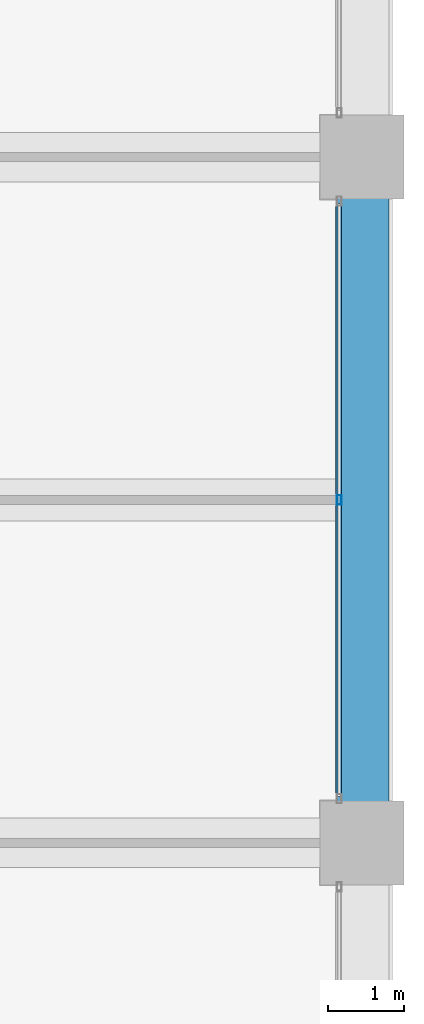
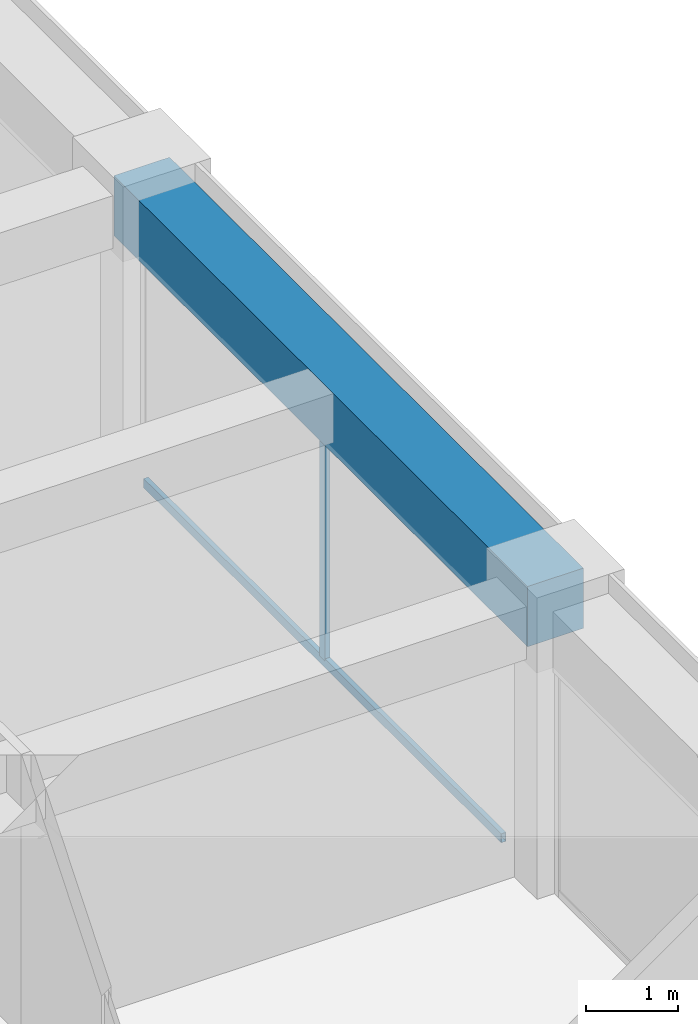
# One storey, part 25 of 44: 2 members, 1 beam, 1 element without a shape of its own.
"""IFC4 building model written with IfcOpenShell, lengths in metres."""

from ifc_helpers import new_model, si_unit, direction, frame, origin, origin_2d, place, context, subcontext, project, spatial, rectangle, hollow_rectangle, extrude, material, material_profile, profile_set, type_object, element, aggregate, save


model = new_model("IFC4")

# Units and contexts
model_context = context("Model", 3, precision=1e-05, world=origin(), true_north=direction((0.0, 1.0)))
body_context = subcontext(model_context, "Body", "Model", "MODEL_VIEW")
ifc_project = project(units=[si_unit("LENGTHUNIT", "METRE"), si_unit("AREAUNIT", "SQUARE_METRE"), si_unit("VOLUMEUNIT", "CUBIC_METRE"), si_unit("PLANEANGLEUNIT", "RADIAN"), si_unit("MASSUNIT", "GRAM", prefix="KILO")], contexts=[model_context])

# Site, building, storey
site_placement = place(None, origin())
site = spatial("IfcSite", under=ifc_project, at=site_placement, CompositionType="ELEMENT")
building_placement = place(site_placement, origin())
building = spatial("IfcBuilding", under=site, at=building_placement, Name="Zorevar Civic Tower", CompositionType="ELEMENT")
storey_placement = place(building_placement, frame((0.0, 0.0, 271.39990234375)))
storey = spatial("IfcBuildingStorey", under=building, at=storey_placement, Name="L66", CompositionType="ELEMENT", Elevation=271.39990234375)

# Curtain wall, members
ifc_material_1 = material(Name="Dark grey solar-control glass in black aluminium frame", Category="aluminium")
curtain_wall_type = type_object("IfcCurtainWallType", Name="Curtain wall CW5 top zone", PredefinedType="NOTDEFINED", material=ifc_material_1)
curtain_wall_placement = place(storey_placement, origin())
curtain_wall = element("IfcCurtainWall", 1, at=curtain_wall_placement, inside=storey, type_object=curtain_wall_type, Name="CW5 L66", PredefinedType="NOTDEFINED")
ifc_material_2 = material(Name="Aluminium, black anodised", Category="aluminium")
ifc_material_profile_1 = material_profile(ifc_material_2, hollow_rectangle(XDim=0.06005859375, YDim=0.1201171875, WallThickness=0.0029296875, at=origin_2d()), Name="AL 120x60x3")
ifc_profile_set_1 = profile_set([ifc_material_profile_1], Name="Aluminium, black anodised")
member_type_1 = type_object("IfcMemberType", Name="CW5 mullion AL 120x60x3", PredefinedType="MULLION", material=ifc_profile_set_1)
member_1_placement = place(storey_placement, frame((53.699951171875, 22.5, 0.06005859375), z_axis=(0.0, 0.0, 1.0), x_axis=(-1.0, 0.0, 0.0)))
member_1 = element("IfcMember", 2, at=member_1_placement, type_object=member_type_1, Name="CW5 mullion 2", PredefinedType="MULLION", context=body_context, shape_type="SweptSolid", body=[
    extrude(hollow_rectangle(XDim=0.06005859375, YDim=0.1201171875, WallThickness=0.0029296875, at=origin_2d()), origin(), (0.0, 0.0, 1.0), 2.89013671875),
])
ifc_material_3 = material(Name="Aluminium, black anodised", Category="aluminium")
ifc_material_profile_2 = material_profile(ifc_material_3, hollow_rectangle(XDim=0.06005859375, YDim=0.1201171875, WallThickness=0.0029296875, at=origin_2d()), Name="AL 120x60x3")
ifc_profile_set_2 = profile_set([ifc_material_profile_2], Name="Aluminium, black anodised")
member_type_2 = type_object("IfcMemberType", Name="CW5 transom AL 120x60x3", PredefinedType="USERDEFINED", material=ifc_profile_set_2)
member_2_placement = place(storey_placement, frame((53.699951171875, 18.610107421875, 0.030029296875), z_axis=(0.0, 1.0, 0.0), x_axis=(-1.0, 0.0, 0.0)))
member_2 = element("IfcMember", 3, at=member_2_placement, type_object=member_type_2, Name="CW5 sill transom", ObjectType="TRANSOM", PredefinedType="USERDEFINED", context=body_context, shape_type="SweptSolid", body=[
    extrude(hollow_rectangle(XDim=0.06005859375, YDim=0.1201171875, WallThickness=0.0029296875, at=origin_2d()), origin(), (0.0, 0.0, 1.0), 7.77978515625),
])
aggregate(curtain_wall, [member_1, member_2])

# Beam
ifc_material_4 = material(Name="Concrete C50/60", Category="concrete")
ifc_material_profile_3 = material_profile(ifc_material_4, rectangle(XDim=0.699951171875, YDim=0.800048828125, at=origin_2d()), Name="RC 700x800")
ifc_profile_set_3 = profile_set([ifc_material_profile_3], Name="Concrete C50/60")
beam_type = type_object("IfcBeamType", Name="Edge beam RC 700x800", PredefinedType="SPANDREL", material=ifc_profile_set_3)
beam_placement = place(storey_placement, frame((54.0, 18.0, 3.35009765625), z_axis=(0.0, 1.0, 0.0), x_axis=(-1.0, 0.0, 0.0)))
element("IfcBeam", 4, at=beam_placement, inside=storey, type_object=beam_type, Name="Edge beam L67", PredefinedType="SPANDREL", context=body_context, shape_type="SweptSolid", body=[
    extrude(rectangle(XDim=0.699951171875, YDim=0.800048828125, at=origin_2d()), origin(), (0.0, 0.0, 1.0), 9.0),
])

save(model, "model.ifc")
